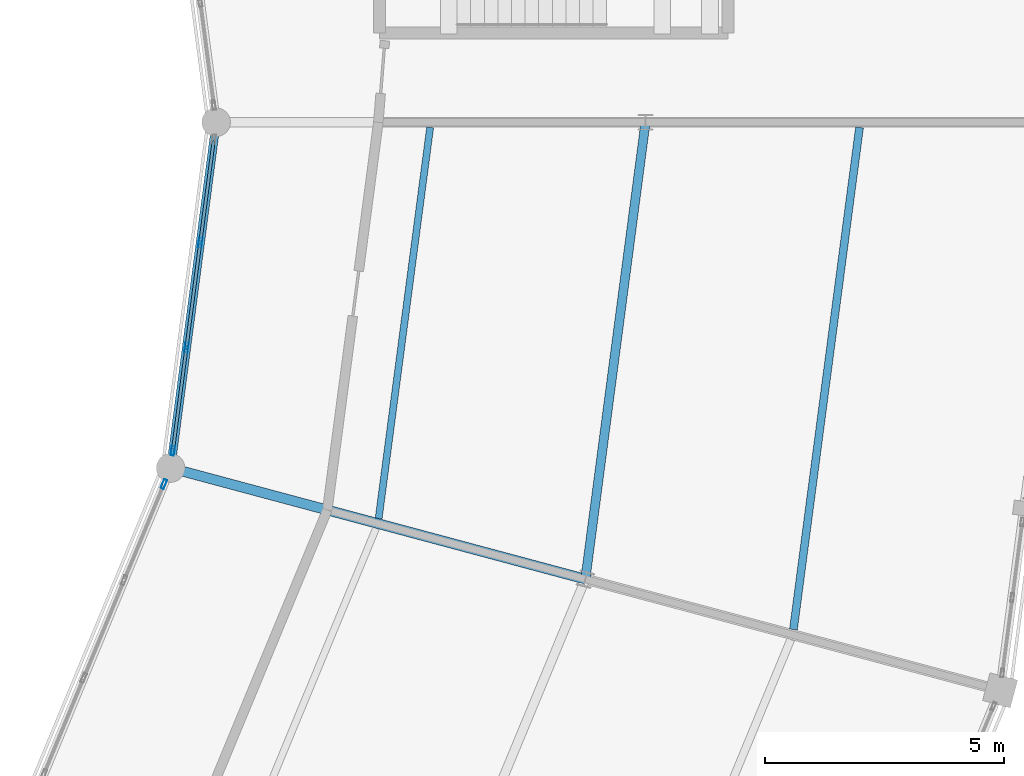
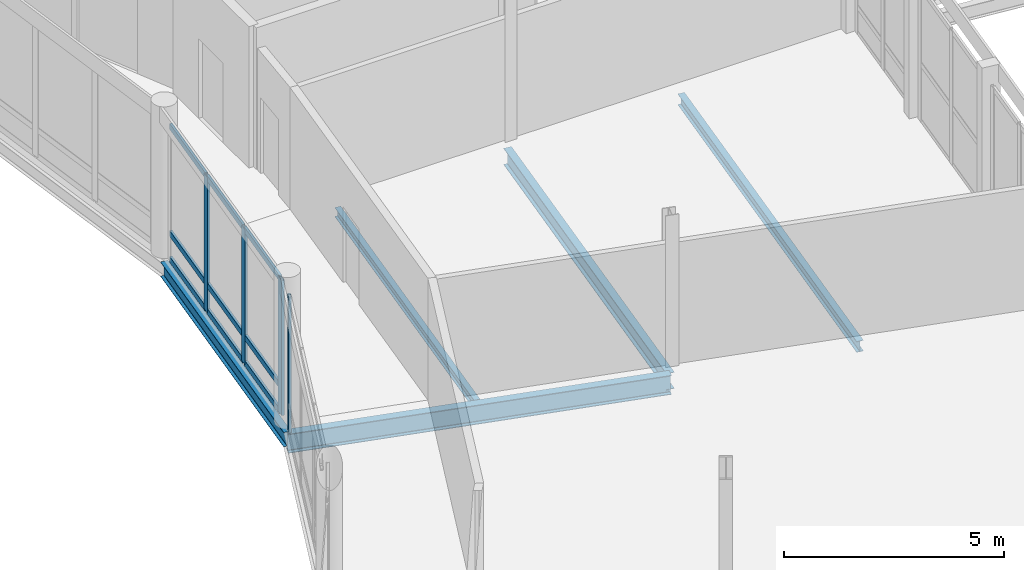
# One storey, part 104 of 170: 13 members, 5 beams, 2 elements without a shape of their own.
"""IFC4 building model written with IfcOpenShell, lengths in metres."""

from ifc_helpers import new_model, si_unit, direction, frame, origin, origin_2d, place, context, subcontext, project, spatial, hollow_rectangle, i_section, extrude, material, material_profile, profile_set, type_object, element, aggregate, save


model = new_model("IFC4")

# Units and contexts
model_context = context("Model", 3, precision=1e-05, world=origin(), true_north=direction((0.0, 1.0)))
body_context = subcontext(model_context, "Body", "Model", "MODEL_VIEW")
ifc_project = project(units=[si_unit("LENGTHUNIT", "METRE"), si_unit("AREAUNIT", "SQUARE_METRE"), si_unit("VOLUMEUNIT", "CUBIC_METRE"), si_unit("PLANEANGLEUNIT", "RADIAN"), si_unit("MASSUNIT", "GRAM", prefix="KILO")], contexts=[model_context])

# Site, building, storey
site_placement = place(None, origin())
site = spatial("IfcSite", under=ifc_project, at=site_placement, CompositionType="ELEMENT")
building_placement = place(site_placement, origin())
building = spatial("IfcBuilding", under=site, at=building_placement, Name="Vondelvale Polytechnic", CompositionType="ELEMENT")
storey_placement = place(building_placement, frame((0.0, 0.0, 5.39990234375)))
storey = spatial("IfcBuildingStorey", under=building, at=storey_placement, Name="L01", CompositionType="ELEMENT", Elevation=5.39990234375)

# Beams
ifc_material_1 = material(Name="Steel 300PLUS (fy = 300 MPa)", Category="steel")
ifc_material_profile_1 = material_profile(ifc_material_1, i_section(OverallWidth=0.177978515625, OverallDepth=0.406005859375, WebThickness=0.0078125, FlangeThickness=0.0126953125, FilletRadius=0.011474609375, at=origin_2d()), Name="410UB59.7")
ifc_profile_set_1 = profile_set([ifc_material_profile_1], Name="Steel 300PLUS (fy = 300 MPa)")
beam_type_1 = type_object("IfcBeamType", Name="BM-UB410", PredefinedType="BEAM", material=ifc_profile_set_1)
beam_1_placement = place(storey_placement, frame((129.0458984375, 64.753173828125, -0.48291015625), z_axis=(0.13053140969, 0.991444174467, 0.0), x_axis=(-0.991444174467, 0.13053140969, 0.0)))
element("IfcBeam", 1, at=beam_1_placement, inside=storey, type_object=beam_type_1, Name="L01 RB B-14", PredefinedType="BEAM", context=body_context, shape_type="SweptSolid", body=[
    extrude(i_section(OverallWidth=0.177978515625, OverallDepth=0.406005859375, WebThickness=0.0078125, FlangeThickness=0.0126953125, FilletRadius=0.011474609375, at=origin_2d()), origin(), (0.0, 0.0, 1.0), 7.309326171875),
])
ifc_material_profile_2 = material_profile(ifc_material_1, i_section(OverallWidth=0.19091796875, OverallDepth=0.4599609375, WebThickness=0.010009765625, FlangeThickness=0.01611328125, FilletRadius=0.011474609375, at=origin_2d()), Name="460UB82.1")
ifc_profile_set_2 = profile_set([ifc_material_profile_2], Name="Steel 300PLUS (fy = 300 MPa)")
beam_type_2 = type_object("IfcBeamType", Name="BM-UB460H", PredefinedType="BEAM", material=ifc_profile_set_2)
beam_2_placement = place(storey_placement, frame((137.7392578125, 62.423583984375, -0.510009765625), z_axis=(0.130524472487, 0.991445087779, 0.0), x_axis=(-0.991445087779, 0.130524472487, 0.0)))
element("IfcBeam", 2, at=beam_2_placement, inside=storey, type_object=beam_type_2, Name="L01 RB B-12", PredefinedType="BEAM", context=body_context, shape_type="SweptSolid", body=[
    extrude(i_section(OverallWidth=0.19091796875, OverallDepth=0.4599609375, WebThickness=0.010009765625, FlangeThickness=0.01611328125, FilletRadius=0.011474609375, at=origin_2d()), origin(), (0.0, 0.0, 1.0), 9.658935546875),
])
ifc_material_profile_3 = material_profile(ifc_material_1, i_section(OverallWidth=0.208984375, OverallDepth=0.532958984375, WebThickness=0.01025390625, FlangeThickness=0.015625, FilletRadius=0.013916015625, at=origin_2d()), Name="530UB92.4")
ifc_profile_set_3 = profile_set([ifc_material_profile_3], Name="Steel 300PLUS (fy = 300 MPa)")
beam_type_3 = type_object("IfcBeamType", Name="BM-UB530", PredefinedType="BEAM", material=ifc_profile_set_3)
beam_3_placement = place(storey_placement, frame((129.0458984375, 64.753173828125, -0.54638671875), z_axis=(0.965919958881, -0.258840941576, 0.0), x_axis=(0.258840941576, 0.965919958881, 0.0)))
element("IfcBeam", 3, at=beam_3_placement, inside=storey, type_object=beam_type_3, Name="L01 RG B-11", PredefinedType="BEAM", context=body_context, shape_type="SweptSolid", body=[
    extrude(i_section(OverallWidth=0.208984375, OverallDepth=0.532958984375, WebThickness=0.01025390625, FlangeThickness=0.015625, FilletRadius=0.013916015625, at=origin_2d()), origin(), (0.0, 0.0, 1.0), 9.0),
])

# Curtain wall, member
ifc_material_2 = material(Name="Anodised extruded aluminium 6063-T6", Category="aluminium")
curtain_wall_type = type_object("IfcCurtainWallType", Name="CW-RING-CLOISTER", PredefinedType="NOTDEFINED", material=ifc_material_2)
curtain_wall_1_placement = place(storey_placement, origin())
curtain_wall_1 = element("IfcCurtainWall", 4, at=curtain_wall_1_placement, inside=storey, type_object=curtain_wall_type, Name="L01 architectural curtain wall CW-03-362", PredefinedType="NOTDEFINED")
ifc_material_profile_4 = material_profile(ifc_material_2, hollow_rectangle(XDim=0.070068359375, YDim=0.199951171875, WallThickness=0.00390625, at=origin_2d()), Name="CW-MUL-200x70")
ifc_profile_set_4 = profile_set([ifc_material_profile_4], Name="Anodised extruded aluminium 6063-T6")
member_type_1 = type_object("IfcMemberType", Name="CW-MUL-70x200", PredefinedType="MULLION", material=ifc_profile_set_4)
member_1_placement = place(storey_placement, frame((128.90625, 64.415771484375, 0.0), z_axis=(0.0, 0.0, 1.0), x_axis=(-0.923881562419, 0.382678531697, 0.0)))
member_1 = element("IfcMember", 5, at=member_1_placement, type_object=member_type_1, Name="CW-03-362 mullion 4", PredefinedType="MULLION", context=body_context, shape_type="SweptSolid", body=[
    extrude(hollow_rectangle(XDim=0.070068359375, YDim=0.199951171875, WallThickness=0.00390625, at=origin_2d()), origin(), (0.0, 0.0, 1.0), 3.75),
])
aggregate(curtain_wall_1, [member_1])

# Curtain wall, members
curtain_wall_2_placement = place(storey_placement, origin())
curtain_wall_2 = element("IfcCurtainWall", 6, at=curtain_wall_2_placement, inside=storey, type_object=curtain_wall_type, Name="L01 architectural curtain wall CW-03-374", PredefinedType="NOTDEFINED")
member_2_placement = place(storey_placement, frame((129.09326171875, 65.113525390625, 0.0), z_axis=(0.0, 0.0, 1.0), x_axis=(-0.99144462243, 0.130528007165, 0.0)))
member_2 = element("IfcMember", 7, at=member_2_placement, type_object=member_type_1, Name="CW-03-374 mullion 1", PredefinedType="MULLION", context=body_context, shape_type="SweptSolid", body=[
    extrude(hollow_rectangle(XDim=0.070068359375, YDim=0.199951171875, WallThickness=0.00390625, at=origin_2d()), origin(), (0.0, 0.0, 1.0), 3.75),
])
member_3_placement = place(storey_placement, frame((129.378173828125, 67.27734375, 0.0), z_axis=(0.0, 0.0, 1.0), x_axis=(-0.99144462243, 0.130528007165, 0.0)))
member_3 = element("IfcMember", 8, at=member_3_placement, type_object=member_type_1, Name="CW-03-374 mullion 2", PredefinedType="MULLION", context=body_context, shape_type="SweptSolid", body=[
    extrude(hollow_rectangle(XDim=0.070068359375, YDim=0.199951171875, WallThickness=0.00390625, at=origin_2d()), origin(), (0.0, 0.0, 1.0), 3.75),
])
member_4_placement = place(storey_placement, frame((129.667724609375, 69.475830078125, 0.0), z_axis=(0.0, 0.0, 1.0), x_axis=(-0.99144462243, 0.130528007165, 0.0)))
member_4 = element("IfcMember", 9, at=member_4_placement, type_object=member_type_1, Name="CW-03-374 mullion 3", PredefinedType="MULLION", context=body_context, shape_type="SweptSolid", body=[
    extrude(hollow_rectangle(XDim=0.070068359375, YDim=0.199951171875, WallThickness=0.00390625, at=origin_2d()), origin(), (0.0, 0.0, 1.0), 3.75),
])
ifc_material_profile_5 = material_profile(ifc_material_2, hollow_rectangle(XDim=0.06494140625, YDim=0.159912109375, WallThickness=0.00341796875, at=origin_2d()), Name="CW-TRN-160x65")
ifc_profile_set_5 = profile_set([ifc_material_profile_5], Name="Anodised extruded aluminium 6063-T6")
member_type_2 = type_object("IfcMemberType", Name="CW-TRN-70x160", PredefinedType="USERDEFINED", material=ifc_profile_set_5)
member_5_placement = place(storey_placement, frame((129.097900390625, 65.148193359375, 0.03271484375), z_axis=(0.130589036243, 0.991436585775, 0.0), x_axis=(-0.991436585775, 0.130589036243, 0.0)))
member_5 = element("IfcMember", 10, at=member_5_placement, type_object=member_type_2, Name="CW-03-374 transom 1.1", ObjectType="TRANSOM", PredefinedType="USERDEFINED", context=body_context, shape_type="SweptSolid", body=[
    extrude(hollow_rectangle(XDim=0.06494140625, YDim=0.159912109375, WallThickness=0.00341796875, at=origin_2d()), origin(), (0.0, 0.0, 1.0), 2.112548828125),
])
member_6_placement = place(storey_placement, frame((129.097900390625, 65.148193359375, 0.75), z_axis=(0.130589036243, 0.991436585775, 0.0), x_axis=(-0.991436585775, 0.130589036243, 0.0)))
member_6 = element("IfcMember", 11, at=member_6_placement, type_object=member_type_2, Name="CW-03-374 transom 1.2", ObjectType="TRANSOM", PredefinedType="USERDEFINED", context=body_context, shape_type="SweptSolid", body=[
    extrude(hollow_rectangle(XDim=0.06494140625, YDim=0.159912109375, WallThickness=0.00341796875, at=origin_2d()), origin(), (0.0, 0.0, 1.0), 2.112548828125),
])
member_7_placement = place(storey_placement, frame((129.097900390625, 65.148193359375, 3.717529296875), z_axis=(0.130589036243, 0.991436585775, 0.0), x_axis=(-0.991436585775, 0.130589036243, 0.0)))
member_7 = element("IfcMember", 12, at=member_7_placement, type_object=member_type_2, Name="CW-03-374 transom 1.3", ObjectType="TRANSOM", PredefinedType="USERDEFINED", context=body_context, shape_type="SweptSolid", body=[
    extrude(hollow_rectangle(XDim=0.06494140625, YDim=0.159912109375, WallThickness=0.00341796875, at=origin_2d()), origin(), (0.0, 0.0, 1.0), 2.112548828125),
])
member_8_placement = place(storey_placement, frame((129.3828125, 67.31201171875, 0.03271484375), z_axis=(0.1305103875, 0.991446941977, 0.0), x_axis=(-0.991446941977, 0.1305103875, 0.0)))
member_8 = element("IfcMember", 13, at=member_8_placement, type_object=member_type_2, Name="CW-03-374 transom 2.1", ObjectType="TRANSOM", PredefinedType="USERDEFINED", context=body_context, shape_type="SweptSolid", body=[
    extrude(hollow_rectangle(XDim=0.06494140625, YDim=0.159912109375, WallThickness=0.00341796875, at=origin_2d()), origin(), (0.0, 0.0, 1.0), 2.1474609375),
])
member_9_placement = place(storey_placement, frame((129.3828125, 67.31201171875, 0.75), z_axis=(0.1305103875, 0.991446941977, 0.0), x_axis=(-0.991446941977, 0.1305103875, 0.0)))
member_9 = element("IfcMember", 14, at=member_9_placement, type_object=member_type_2, Name="CW-03-374 transom 2.2", ObjectType="TRANSOM", PredefinedType="USERDEFINED", context=body_context, shape_type="SweptSolid", body=[
    extrude(hollow_rectangle(XDim=0.06494140625, YDim=0.159912109375, WallThickness=0.00341796875, at=origin_2d()), origin(), (0.0, 0.0, 1.0), 2.1474609375),
])
member_10_placement = place(storey_placement, frame((129.3828125, 67.31201171875, 3.717529296875), z_axis=(0.1305103875, 0.991446941977, 0.0), x_axis=(-0.991446941977, 0.1305103875, 0.0)))
member_10 = element("IfcMember", 15, at=member_10_placement, type_object=member_type_2, Name="CW-03-374 transom 2.3", ObjectType="TRANSOM", PredefinedType="USERDEFINED", context=body_context, shape_type="SweptSolid", body=[
    extrude(hollow_rectangle(XDim=0.06494140625, YDim=0.159912109375, WallThickness=0.00341796875, at=origin_2d()), origin(), (0.0, 0.0, 1.0), 2.1474609375),
])
member_11_placement = place(storey_placement, frame((129.672119140625, 69.510498046875, 0.03271484375), z_axis=(0.130604000296, 0.99143461464, 0.0), x_axis=(-0.99143461464, 0.130604000296, 0.0)))
member_11 = element("IfcMember", 16, at=member_11_placement, type_object=member_type_2, Name="CW-03-374 transom 3.1", ObjectType="TRANSOM", PredefinedType="USERDEFINED", context=body_context, shape_type="SweptSolid", body=[
    extrude(hollow_rectangle(XDim=0.06494140625, YDim=0.159912109375, WallThickness=0.00341796875, at=origin_2d()), origin(), (0.0, 0.0, 1.0), 2.1123046875),
])
member_12_placement = place(storey_placement, frame((129.672119140625, 69.510498046875, 0.75), z_axis=(0.130604000296, 0.99143461464, 0.0), x_axis=(-0.99143461464, 0.130604000296, 0.0)))
member_12 = element("IfcMember", 17, at=member_12_placement, type_object=member_type_2, Name="CW-03-374 transom 3.2", ObjectType="TRANSOM", PredefinedType="USERDEFINED", context=body_context, shape_type="SweptSolid", body=[
    extrude(hollow_rectangle(XDim=0.06494140625, YDim=0.159912109375, WallThickness=0.00341796875, at=origin_2d()), origin(), (0.0, 0.0, 1.0), 2.1123046875),
])
member_13_placement = place(storey_placement, frame((129.672119140625, 69.510498046875, 3.717529296875), z_axis=(0.130604000296, 0.99143461464, 0.0), x_axis=(-0.99143461464, 0.130604000296, 0.0)))
member_13 = element("IfcMember", 18, at=member_13_placement, type_object=member_type_2, Name="CW-03-374 transom 3.3", ObjectType="TRANSOM", PredefinedType="USERDEFINED", context=body_context, shape_type="SweptSolid", body=[
    extrude(hollow_rectangle(XDim=0.06494140625, YDim=0.159912109375, WallThickness=0.00341796875, at=origin_2d()), origin(), (0.0, 0.0, 1.0), 2.1123046875),
])
aggregate(curtain_wall_2, [member_2, member_3, member_4, member_5, member_6, member_7, member_8, member_9, member_10, member_11, member_12, member_13])

# Beams
ifc_material_profile_6 = material_profile(ifc_material_1, i_section(OverallWidth=0.14599609375, OverallDepth=0.256103515625, WebThickness=0.00634765625, FlangeThickness=0.010986328125, FilletRadius=0.0087890625, at=origin_2d()), Name="250UB37.3")
ifc_profile_set_6 = profile_set([ifc_material_profile_6], Name="Steel 300PLUS (fy = 300 MPa)")
beam_type_4 = type_object("IfcBeamType", Name="JST-UB250", PredefinedType="JOIST", material=ifc_profile_set_6)
beam_4_placement = place(storey_placement, frame((133.406982421875, 63.697509765625, -0.407958984375), z_axis=(0.130518705366, 0.991445847008, 0.0), x_axis=(-0.991445847008, 0.130518705366, 0.0)))
element("IfcBeam", 19, at=beam_4_placement, inside=storey, type_object=beam_type_4, Name="L01 RJ J-06", PredefinedType="JOIST", context=body_context, shape_type="SweptSolid", body=[
    extrude(i_section(OverallWidth=0.14599609375, OverallDepth=0.256103515625, WebThickness=0.00634765625, FlangeThickness=0.010986328125, FilletRadius=0.0087890625, at=origin_2d()), origin(), (0.0, 0.0, 1.0), 8.26416015625),
])
ifc_material_profile_7 = material_profile(ifc_material_1, i_section(OverallWidth=0.1650390625, OverallDepth=0.303955078125, WebThickness=0.006103515625, FlangeThickness=0.01025390625, FilletRadius=0.011474609375, at=origin_2d()), Name="310UB40.4")
ifc_profile_set_7 = profile_set([ifc_material_profile_7], Name="Steel 300PLUS (fy = 300 MPa)")
beam_type_5 = type_object("IfcBeamType", Name="JST-UB310", PredefinedType="JOIST", material=ifc_profile_set_7)
beam_5_placement = place(storey_placement, frame((142.100341796875, 61.3681640625, -0.431884765625), z_axis=(0.13051818119, 0.991445916013, 0.0), x_axis=(-0.991445916013, 0.13051818119, 0.0)))
element("IfcBeam", 20, at=beam_5_placement, inside=storey, type_object=beam_type_5, Name="L01 RJ J-05", PredefinedType="JOIST", context=body_context, shape_type="SweptSolid", body=[
    extrude(i_section(OverallWidth=0.1650390625, OverallDepth=0.303955078125, WebThickness=0.006103515625, FlangeThickness=0.01025390625, FilletRadius=0.011474609375, at=origin_2d()), origin(), (0.0, 0.0, 1.0), 10.613525390625),
])

save(model, "model.ifc")
